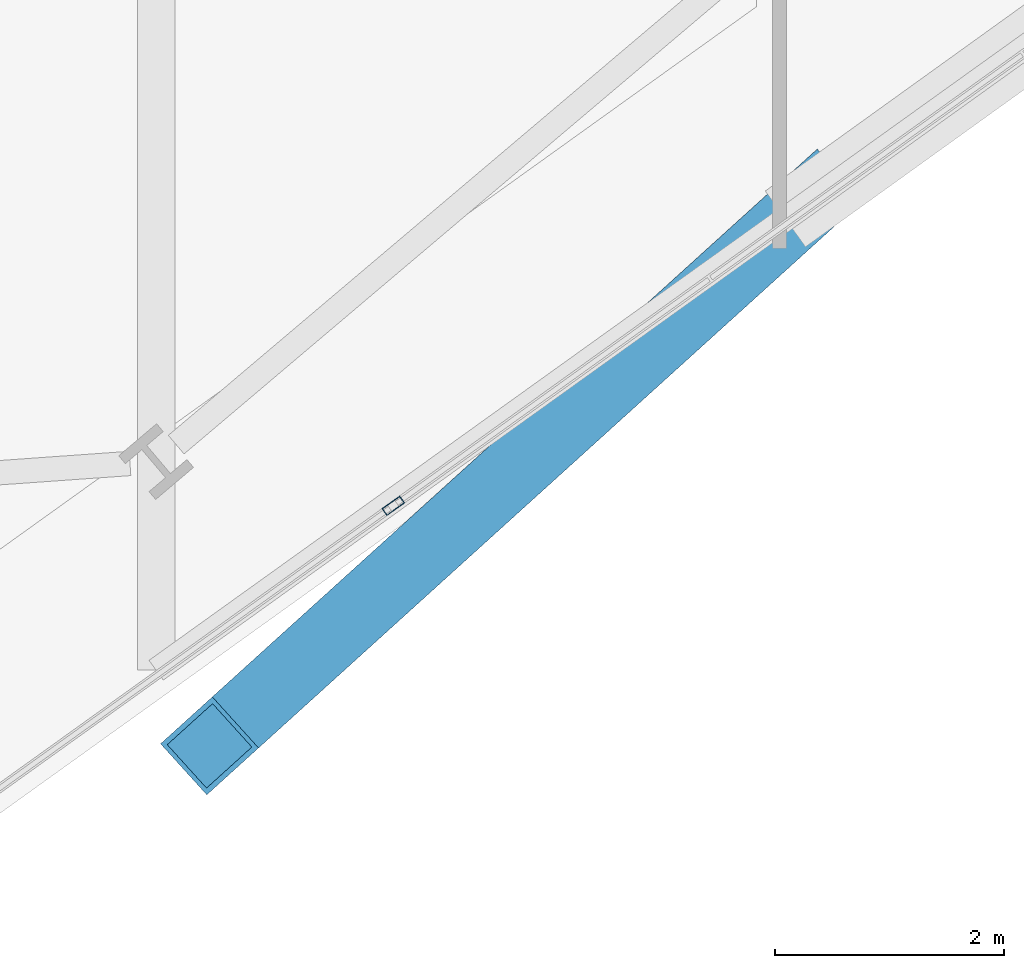
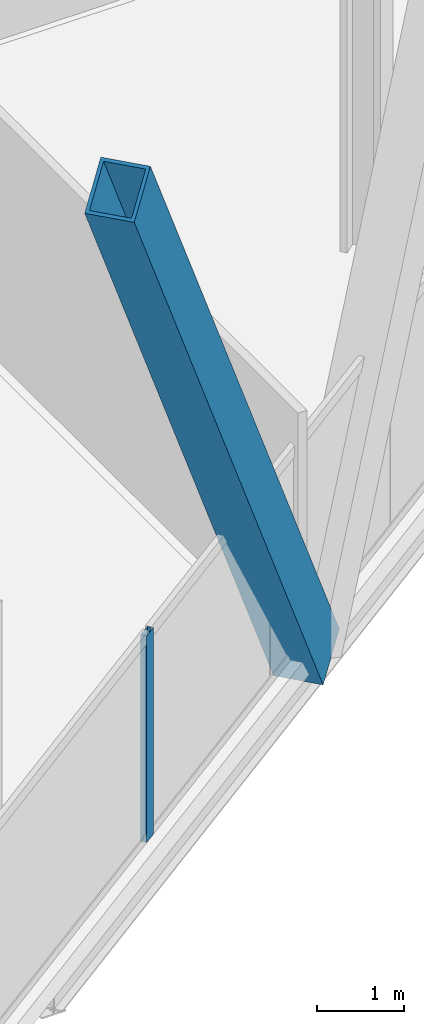
# One storey, part 6 of 33: 2 members, 1 element without a shape of its own.
"""IFC4 building model written with IfcOpenShell, lengths in metres."""

from ifc_helpers import new_model, si_unit, direction, frame, origin, origin_2d, place, context, subcontext, project, spatial, hollow_rectangle, extrude, material, material_profile, profile_set, type_object, element, aggregate, save


model = new_model("IFC4")

# Units and contexts
model_context = context("Model", 3, precision=1e-05, world=origin(), true_north=direction((0.0, 1.0)))
body_context = subcontext(model_context, "Body", "Model", "MODEL_VIEW")
ifc_project = project(units=[si_unit("LENGTHUNIT", "METRE"), si_unit("AREAUNIT", "SQUARE_METRE"), si_unit("VOLUMEUNIT", "CUBIC_METRE"), si_unit("PLANEANGLEUNIT", "RADIAN"), si_unit("MASSUNIT", "GRAM", prefix="KILO")], contexts=[model_context])

# Site, building, storey
site_placement = place(None, origin())
site = spatial("IfcSite", under=ifc_project, at=site_placement, CompositionType="ELEMENT")
building_placement = place(site_placement, origin())
building = spatial("IfcBuilding", under=site, at=building_placement, Name="Haldenkirk Collegiate Tower", CompositionType="ELEMENT")
storey_placement = place(building_placement, frame((0.0, 0.0, 148.199951171875)))
storey = spatial("IfcBuildingStorey", under=building, at=storey_placement, Name="L36", CompositionType="ELEMENT", Elevation=148.199951171875)

# Curtain wall, member
ifc_material_1 = material(Name="Anodised architectural bronze aluminium", Category="aluminium")
curtain_wall_type = type_object("IfcCurtainWallType", Name="CW-SYS2-CONCAVE", PredefinedType="USERDEFINED", material=ifc_material_1)
curtain_wall_placement = place(storey_placement, origin())
curtain_wall = element("IfcCurtainWall", 1, at=curtain_wall_placement, inside=storey, type_object=curtain_wall_type, Name="L36 South concave recessed bronze-anodised curtain wall", ObjectType="UNITISED CURTAIN WALL", PredefinedType="USERDEFINED")
ifc_material_profile_1 = material_profile(ifc_material_1, hollow_rectangle(XDim=0.074951171875, YDim=0.18994140625, WallThickness=0.0048828125, at=origin_2d()), Name="CW-MUL-02")
ifc_profile_set_1 = profile_set([ifc_material_profile_1], Name="Anodised architectural bronze aluminium")
member_type_1 = type_object("IfcMemberType", Name="CW-MUL-02", PredefinedType="MULLION", material=ifc_profile_set_1)
member_1_placement = place(storey_placement, frame((41.63525390625, 0.728271484375, 0.0), z_axis=(0.0, 0.0, 1.0), x_axis=(0.582833529689, -0.812591580482, 0.0)))
member_1 = element("IfcMember", 2, at=member_1_placement, type_object=member_type_1, Name="CW-02 mullion 4", PredefinedType="MULLION", context=body_context, shape_type="SweptSolid", body=[
    extrude(hollow_rectangle(XDim=0.074951171875, YDim=0.18994140625, WallThickness=0.0048828125, at=origin_2d()), origin(), (0.0, 0.0, 1.0), 2.9111328125),
])
aggregate(curtain_wall, [member_1])

# Member
ifc_material_2 = material(Name="Steel ASTM A572 Grade 50", Category="steel")
ifc_material_profile_2 = material_profile(ifc_material_2, hollow_rectangle(XDim=0.60009765625, YDim=0.719970703125, WallThickness=0.044921875, at=origin_2d()), Name="BOX720X600X45")
ifc_profile_set_2 = profile_set([ifc_material_profile_2], Name="Steel ASTM A572 Grade 50")
member_type_2 = type_object("IfcMemberType", Name="MBR-MEGABRACE-BOX720X600X45", PredefinedType="BRACE", material=ifc_profile_set_2)
member_2_placement = place(storey_placement, frame((45.305419921875, 3.409912109375, -0.300048828125), z_axis=(-0.396057979442, -0.358673598816, 0.845275887763), x_axis=(0.67125843675, -0.741223388118, 0.0)))
element("IfcMember", 3, at=member_2_placement, inside=storey, type_object=member_type_2, Name="Perimeter Mega Brace Z3 L36-L38 SL", PredefinedType="BRACE", context=body_context, shape_type="SweptSolid", body=[
    extrude(hollow_rectangle(XDim=0.60009765625, YDim=0.719970703125, WallThickness=0.044921875, at=origin_2d()), origin(), (0.0, 0.0, 1.0), 13.309326171875),
])

save(model, "model.ifc")
